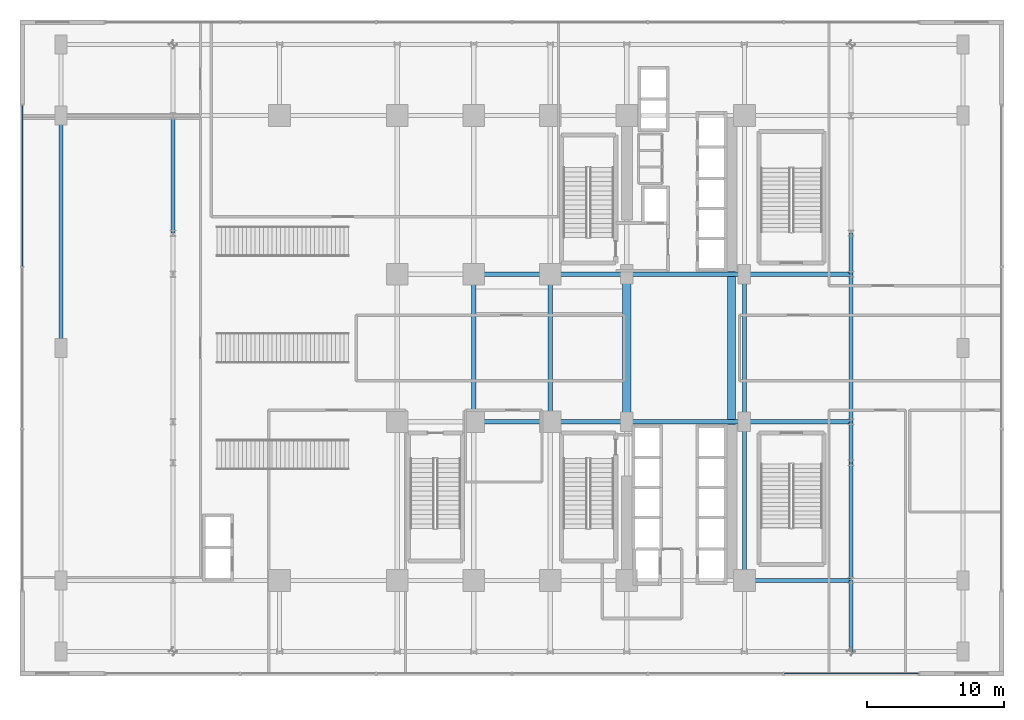
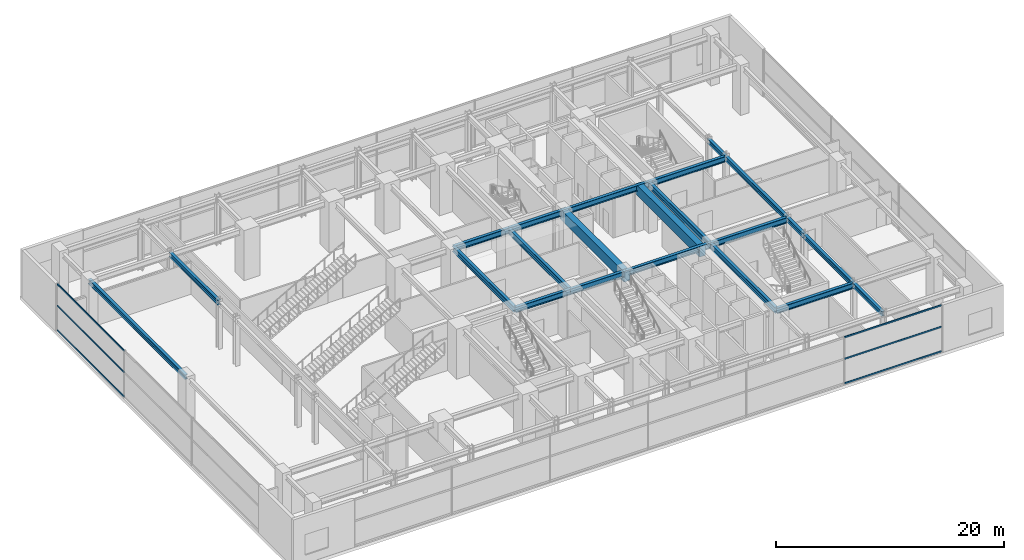
# One storey, part 12 of 34: 22 beams, 6 members, 2 elements without a shape of their own.
"""IFC4 building model written with IfcOpenShell, lengths in metres."""

from ifc_helpers import new_model, si_unit, direction, frame, origin, origin_2d, place, context, subcontext, project, spatial, rectangle, hollow_rectangle, i_section, extrude, source, transform, mapped, material, material_profile, profile_set, type_object, element, aggregate, save


model = new_model("IFC4")

# Units and contexts
model_context = context("Model", 3, precision=1e-05, world=origin(), true_north=direction((0.0, 1.0)))
body_context = subcontext(model_context, "Body", "Model", "MODEL_VIEW")
ifc_project = project(units=[si_unit("LENGTHUNIT", "METRE"), si_unit("AREAUNIT", "SQUARE_METRE"), si_unit("VOLUMEUNIT", "CUBIC_METRE"), si_unit("PLANEANGLEUNIT", "RADIAN"), si_unit("MASSUNIT", "GRAM", prefix="KILO")], contexts=[model_context])

# Site, building, storey
site_placement = place(None, origin())
site = spatial("IfcSite", under=ifc_project, at=site_placement, CompositionType="ELEMENT")
building_placement = place(site_placement, origin())
building = spatial("IfcBuilding", under=site, at=building_placement, Name="Nahalor Promenade Grand Hotel", CompositionType="ELEMENT")
storey_placement = place(building_placement, frame((0.0, 0.0, 16.199951171875)))
storey = spatial("IfcBuildingStorey", under=building, at=storey_placement, Name="L03", CompositionType="ELEMENT", Elevation=16.199951171875)

# Beams
ifc_material_1 = material(Name="Concrete B-60 (C50/60)", Category="concrete")
ifc_material_profile_1 = material_profile(ifc_material_1, rectangle(XDim=0.6, YDim=1.1, at=origin_2d()), Name="RC 600x1100")
ifc_profile_set_1 = profile_set([ifc_material_profile_1], Name="Concrete B-60 (C50/60)")
beam_type_1 = type_object("IfcBeamType", Name="Beam-Lintel-RC1100", PredefinedType="LINTEL", material=ifc_profile_set_1)
shared_shape_1 = source(origin(), body_context, "Body", "SweptSolid", [
    extrude(rectangle(XDim=0.6, YDim=1.1, at=origin_2d()), origin(), (0.0, 0.0, 1.0), 11.2001953125),
])
for number, where, z_axis, x_axis, name in (
    (1, (8.39990234375, -5.60009765625, 4.530029296875), (0.0, 1.0, 0.0), (-1.0, 0.0, 0.0), "BM-L03-LINT-W"),
    (2, (16.050048828125, -5.60009765625, 4.530029296875), (0.0, 1.0, 0.0), (-1.0, 0.0, 0.0), "BM-L03-LINT-E"),
):
    element("IfcBeam", number, at=place(storey_placement, frame(where, z_axis=z_axis, x_axis=x_axis)), inside=storey, type_object=beam_type_1, Name=name, PredefinedType="LINTEL", context=body_context, shape_type="MappedRepresentation", body=[
        mapped(shared_shape_1, transform((0.0, 0.0, 0.0), scale=1.0)),
    ])
ifc_material_2 = material(Name="Steel S355JR", Category="steel")
ifc_material_profile_2 = material_profile(ifc_material_2, i_section(OverallWidth=0.3, OverallDepth=0.6, WebThickness=0.0155, FlangeThickness=0.03, at=origin_2d()), Name="HEB 600")
ifc_profile_set_2 = profile_set([ifc_material_profile_2], Name="Steel S355JR")
beam_type_2 = type_object("IfcBeamType", Name="Beam-Girder-HEB600", PredefinedType="BEAM", material=ifc_profile_set_2)
shared_shape_2 = source(origin(), body_context, "Body", "SweptSolid", [
    extrude(i_section(OverallWidth=0.3, OverallDepth=0.6, WebThickness=0.0155, FlangeThickness=0.03, at=origin_2d()), origin(), (0.0, 0.0, 1.0), 7.800048828125),
])
for number, where, z_axis, x_axis, name in (
    (3, (17.0, -17.0, 4.780029296875), (1.0, 0.0, 0.0), (0.0, 1.0, 0.0), "BM-L03-GX-0-7"),
    (4, (17.0, -5.39990234375, 4.780029296875), (1.0, 0.0, 0.0), (0.0, 1.0, 0.0), "BM-L03-GX-1-4"),
    (5, (17.0, 5.39990234375, 4.780029296875), (1.0, 0.0, 0.0), (0.0, 1.0, 0.0), "BM-L03-GX-2-4"),
):
    element("IfcBeam", number, at=place(storey_placement, frame(where, z_axis=z_axis, x_axis=x_axis)), inside=storey, type_object=beam_type_2, Name=name, PredefinedType="BEAM", context=body_context, shape_type="MappedRepresentation", body=[
        mapped(shared_shape_2, transform((0.0, 0.0, 0.0), scale=1.0)),
    ])
shared_shape_3 = source(origin(), body_context, "Body", "SweptSolid", [
    extrude(i_section(OverallWidth=0.3, OverallDepth=0.6, WebThickness=0.0155, FlangeThickness=0.03, at=origin_2d()), origin(), (0.0, 0.0, 1.0), 8.60009765625),
])
for number, where, z_axis, x_axis, name in (
    (6, (8.39990234375, -5.39990234375, 4.780029296875), (1.0, 0.0, 0.0), (0.0, 1.0, 0.0), "BM-L03-GX-1-3"),
    (7, (8.39990234375, 5.39990234375, 4.780029296875), (1.0, 0.0, 0.0), (0.0, 1.0, 0.0), "BM-L03-GX-2-3"),
):
    element("IfcBeam", number, at=place(storey_placement, frame(where, z_axis=z_axis, x_axis=x_axis)), inside=storey, type_object=beam_type_2, Name=name, PredefinedType="BEAM", context=body_context, shape_type="MappedRepresentation", body=[
        mapped(shared_shape_3, transform((0.0, 0.0, 0.0), scale=1.0)),
    ])
shared_shape_4 = source(origin(), body_context, "Body", "SweptSolid", [
    extrude(i_section(OverallWidth=0.3, OverallDepth=0.6, WebThickness=0.0155, FlangeThickness=0.03, at=origin_2d()), origin(), (0.0, 0.0, 1.0), 5.599853515625),
])
for number, where, z_axis, x_axis, name in (
    (8, (2.800048828125, -5.39990234375, 4.780029296875), (1.0, 0.0, 0.0), (0.0, 1.0, 0.0), "BM-L03-GX-1-2"),
    (9, (2.800048828125, 5.39990234375, 4.780029296875), (1.0, 0.0, 0.0), (0.0, 1.0, 0.0), "BM-L03-GX-2-2"),
):
    element("IfcBeam", number, at=place(storey_placement, frame(where, z_axis=z_axis, x_axis=x_axis)), inside=storey, type_object=beam_type_2, Name=name, PredefinedType="BEAM", context=body_context, shape_type="MappedRepresentation", body=[
        mapped(shared_shape_4, transform((0.0, 0.0, 0.0), scale=1.0)),
    ])
shared_shape_5 = source(origin(), body_context, "Body", "SweptSolid", [
    extrude(i_section(OverallWidth=0.3, OverallDepth=0.6, WebThickness=0.0155, FlangeThickness=0.03, at=origin_2d()), origin(), (0.0, 0.0, 1.0), 5.60009765625),
])
for number, where, z_axis, x_axis, name in (
    (10, (-2.800048828125, -5.39990234375, 4.780029296875), (1.0, 0.0, 0.0), (0.0, 1.0, 0.0), "BM-L03-GX-1-1"),
    (11, (-2.800048828125, 5.39990234375, 4.780029296875), (1.0, 0.0, 0.0), (0.0, 1.0, 0.0), "BM-L03-GX-2-1"),
):
    element("IfcBeam", number, at=place(storey_placement, frame(where, z_axis=z_axis, x_axis=x_axis)), inside=storey, type_object=beam_type_2, Name=name, PredefinedType="BEAM", context=body_context, shape_type="MappedRepresentation", body=[
        mapped(shared_shape_5, transform((0.0, 0.0, 0.0), scale=1.0)),
    ])
shared_shape_6 = source(origin(), body_context, "Body", "SweptSolid", [
    extrude(i_section(OverallWidth=0.3, OverallDepth=0.6, WebThickness=0.0155, FlangeThickness=0.03, at=origin_2d()), origin(), (0.0, 0.0, 1.0), 11.60009765625),
])
beam_1_placement = place(storey_placement, frame((17.0, -17.0, 4.780029296875), z_axis=(0.0, 1.0, 0.0), x_axis=(-1.0, 0.0, 0.0)))
element("IfcBeam", 12, at=beam_1_placement, inside=storey, type_object=beam_type_2, Name="BM-L03-GY-5-1", PredefinedType="BEAM", context=body_context, shape_type="MappedRepresentation", body=[
    mapped(shared_shape_6, transform((0.0, 0.0, 0.0), scale=1.0)),
])
shared_shape_7 = source(origin(), body_context, "Body", "SweptSolid", [
    extrude(i_section(OverallWidth=0.3, OverallDepth=0.6, WebThickness=0.0155, FlangeThickness=0.03, at=origin_2d()), origin(), (0.0, 0.0, 1.0), 10.7998046875),
])
for number, where, z_axis, x_axis, name in (
    (13, (-2.800048828125, -5.39990234375, 4.780029296875), (0.0, 1.0, 0.0), (-1.0, 0.0, 0.0), "BM-L03-GY-2-2"),
    (14, (2.800048828125, -5.39990234375, 4.780029296875), (0.0, 1.0, 0.0), (-1.0, 0.0, 0.0), "BM-L03-GY-3-2"),
    (15, (17.0, -5.39990234375, 4.780029296875), (0.0, 1.0, 0.0), (-1.0, 0.0, 0.0), "BM-L03-GY-5-2"),
):
    element("IfcBeam", number, at=place(storey_placement, frame(where, z_axis=z_axis, x_axis=x_axis)), inside=storey, type_object=beam_type_2, Name=name, PredefinedType="BEAM", context=body_context, shape_type="MappedRepresentation", body=[
        mapped(shared_shape_7, transform((0.0, 0.0, 0.0), scale=1.0)),
    ])
ifc_material_profile_3 = material_profile(ifc_material_2, i_section(OverallWidth=0.3, OverallDepth=0.5, WebThickness=0.0145, FlangeThickness=0.028, at=origin_2d()), Name="HEB 500")
ifc_profile_set_3 = profile_set([ifc_material_profile_3], Name="Steel S355JR")
beam_type_3 = type_object("IfcBeamType", Name="Beam-Spandrel-HEB500", PredefinedType="SPANDREL", material=ifc_profile_set_3)
shared_shape_8 = source(origin(), body_context, "Body", "SweptSolid", [
    extrude(i_section(OverallWidth=0.3, OverallDepth=0.5, WebThickness=0.0145, FlangeThickness=0.028, at=origin_2d()), origin(), (0.0, 0.0, 1.0), 8.60009765625),
])
for number, where, z_axis, x_axis, name in (
    (16, (-24.800048828125, 8.39990234375, 4.830078125), (0.0, 1.0, 0.0), (-1.0, 0.0, 0.0), "BM-L03-SP-W-4"),
    (17, (24.800048828125, -17.0, 4.830078125), (0.0, 1.0, 0.0), (-1.0, 0.0, 0.0), "BM-L03-SP-E-0"),
):
    element("IfcBeam", number, at=place(storey_placement, frame(where, z_axis=z_axis, x_axis=x_axis)), inside=storey, type_object=beam_type_3, Name=name, PredefinedType="SPANDREL", context=body_context, shape_type="MappedRepresentation", body=[
        mapped(shared_shape_8, transform((0.0, 0.0, 0.0), scale=1.0)),
    ])
shared_shape_9 = source(origin(), body_context, "Body", "SweptSolid", [
    extrude(i_section(OverallWidth=0.3, OverallDepth=0.5, WebThickness=0.0145, FlangeThickness=0.028, at=origin_2d()), origin(), (0.0, 0.0, 1.0), 3.0),
])
for number, where, z_axis, x_axis, name in (
    (18, (24.800048828125, -8.39990234375, 4.830078125), (0.0, 1.0, 0.0), (-1.0, 0.0, 0.0), "BM-L03-SP-E-1"),
    (19, (24.800048828125, 5.39990234375, 4.830078125), (0.0, 1.0, 0.0), (-1.0, 0.0, 0.0), "BM-L03-SP-E-3"),
):
    element("IfcBeam", number, at=place(storey_placement, frame(where, z_axis=z_axis, x_axis=x_axis)), inside=storey, type_object=beam_type_3, Name=name, PredefinedType="SPANDREL", context=body_context, shape_type="MappedRepresentation", body=[
        mapped(shared_shape_9, transform((0.0, 0.0, 0.0), scale=1.0)),
    ])
shared_shape_10 = source(origin(), body_context, "Body", "SweptSolid", [
    extrude(i_section(OverallWidth=0.3, OverallDepth=0.5, WebThickness=0.0145, FlangeThickness=0.028, at=origin_2d()), origin(), (0.0, 0.0, 1.0), 10.7998046875),
])
beam_2_placement = place(storey_placement, frame((24.800048828125, -5.39990234375, 4.830078125), z_axis=(0.0, 1.0, 0.0), x_axis=(-1.0, 0.0, 0.0)))
element("IfcBeam", 20, at=beam_2_placement, inside=storey, type_object=beam_type_3, Name="BM-L03-SP-E-2", PredefinedType="SPANDREL", context=body_context, shape_type="MappedRepresentation", body=[
    mapped(shared_shape_10, transform((0.0, 0.0, 0.0), scale=1.0)),
])
shared_shape_11 = source(origin(), body_context, "Body", "SweptSolid", [
    extrude(i_section(OverallWidth=0.3, OverallDepth=0.5, WebThickness=0.0145, FlangeThickness=0.028, at=origin_2d()), origin(), (0.0, 0.0, 1.0), 5.199951171875),
])
beam_3_placement = place(storey_placement, frame((24.800048828125, -22.199951171875, 4.830078125), z_axis=(0.0, 1.0, 0.0), x_axis=(-1.0, 0.0, 0.0)))
element("IfcBeam", 21, at=beam_3_placement, inside=storey, type_object=beam_type_3, Name="BM-L03-SPC-SE-2", PredefinedType="SPANDREL", context=body_context, shape_type="MappedRepresentation", body=[
    mapped(shared_shape_11, transform((0.0, 0.0, 0.0), scale=1.0)),
])
shared_shape_12 = source(origin(), body_context, "Body", "SweptSolid", [
    extrude(i_section(OverallWidth=0.3, OverallDepth=0.5, WebThickness=0.0145, FlangeThickness=0.028, at=origin_2d()), origin(), (0.0, 0.0, 1.0), 17.0),
])
beam_4_placement = place(storey_placement, frame((-33.0, 0.0, 4.830078125), z_axis=(0.0, 1.0, 0.0), x_axis=(-1.0, 0.0, 0.0)))
element("IfcBeam", 22, at=beam_4_placement, inside=storey, type_object=beam_type_3, Name="BM-L03-PW-2", PredefinedType="SPANDREL", context=body_context, shape_type="MappedRepresentation", body=[
    mapped(shared_shape_12, transform((0.0, 0.0, 0.0), scale=1.0)),
])

# Curtain wall, members
ifc_material_3 = material(Name="Anodised Bronze Aluminium EN AW-6063 T6", Category="aluminium")
curtain_wall_type = type_object("IfcCurtainWallType", Name="CW1 Waterfront Podium Bronze Arcade Curtain Wall", PredefinedType="USERDEFINED", material=ifc_material_3)
curtain_wall_1_placement = place(storey_placement, origin())
curtain_wall_1 = element("IfcCurtainWall", 23, at=curtain_wall_1_placement, inside=storey, type_object=curtain_wall_type, Name="L03 Curtain Wall CW-L03-W", ObjectType="UNITISED_CURTAIN_WALL", PredefinedType="USERDEFINED")
ifc_material_profile_4 = material_profile(ifc_material_3, hollow_rectangle(XDim=0.08, YDim=0.16, WallThickness=0.004, at=origin_2d()), Name="CWT 80x160x4")
ifc_profile_set_4 = profile_set([ifc_material_profile_4], Name="Anodised Bronze Aluminium EN AW-6063 T6")
member_type = type_object("IfcMemberType", Name="CWT1 Podium Bronze Transom 80x160", PredefinedType="USERDEFINED", material=ifc_profile_set_4)
shared_shape_13 = source(origin(), body_context, "Body", "SweptSolid", [
    extrude(hollow_rectangle(XDim=0.08, YDim=0.16, WallThickness=0.004, at=origin_2d()), origin(), (0.0, 0.0, 1.0), 11.760009765625),
])
member_1_placement = place(storey_placement, frame((-35.820068359375, 5.97998046875, 0.080078125), z_axis=(0.0, 1.0, 0.0), x_axis=(-1.0, 0.0, 0.0)))
member_1 = element("IfcMember", 24, at=member_1_placement, type_object=member_type, Name="CW-L03-W Transom 2-0", ObjectType="TRANSOM", PredefinedType="USERDEFINED", context=body_context, shape_type="MappedRepresentation", body=[
    mapped(shared_shape_13, transform((0.0, 0.0, 0.0), scale=1.0)),
])
member_2_placement = place(storey_placement, frame((-35.820068359375, 5.97998046875, 2.699951171875), z_axis=(0.0, 1.0, 0.0), x_axis=(-1.0, 0.0, 0.0)))
member_2 = element("IfcMember", 25, at=member_2_placement, type_object=member_type, Name="CW-L03-W Transom 2-1", ObjectType="TRANSOM", PredefinedType="USERDEFINED", context=body_context, shape_type="MappedRepresentation", body=[
    mapped(shared_shape_13, transform((0.0, 0.0, 0.0), scale=1.0)),
])
member_3_placement = place(storey_placement, frame((-35.820068359375, 5.97998046875, 5.0), z_axis=(0.0, 1.0, 0.0), x_axis=(-1.0, 0.0, 0.0)))
member_3 = element("IfcMember", 26, at=member_3_placement, type_object=member_type, Name="CW-L03-W Transom 2-2", ObjectType="TRANSOM", PredefinedType="USERDEFINED", context=body_context, shape_type="MappedRepresentation", body=[
    mapped(shared_shape_13, transform((0.0, 0.0, 0.0), scale=1.0)),
])
aggregate(curtain_wall_1, [member_1, member_2, member_3])

curtain_wall_2_placement = place(storey_placement, origin())
curtain_wall_2 = element("IfcCurtainWall", 27, at=curtain_wall_2_placement, inside=storey, type_object=curtain_wall_type, Name="L03 Curtain Wall CW-L03-S", ObjectType="UNITISED_CURTAIN_WALL", PredefinedType="USERDEFINED")
shared_shape_14 = source(origin(), body_context, "Body", "SweptSolid", [
    extrude(hollow_rectangle(XDim=0.08, YDim=0.16, WallThickness=0.004, at=origin_2d()), origin(), (0.0, 0.0, 1.0), 9.820068359375),
])
member_4_placement = place(storey_placement, frame((19.919921875, -23.820068359375, 0.080078125), z_axis=(1.0, 0.0, 0.0), x_axis=(0.0, 1.0, 0.0)))
member_4 = element("IfcMember", 28, at=member_4_placement, type_object=member_type, Name="CW-L03-S Transom 5-0", ObjectType="TRANSOM", PredefinedType="USERDEFINED", context=body_context, shape_type="MappedRepresentation", body=[
    mapped(shared_shape_14, transform((0.0, 0.0, 0.0), scale=1.0)),
])
member_5_placement = place(storey_placement, frame((19.919921875, -23.820068359375, 2.699951171875), z_axis=(1.0, 0.0, 0.0), x_axis=(0.0, 1.0, 0.0)))
member_5 = element("IfcMember", 29, at=member_5_placement, type_object=member_type, Name="CW-L03-S Transom 5-1", ObjectType="TRANSOM", PredefinedType="USERDEFINED", context=body_context, shape_type="MappedRepresentation", body=[
    mapped(shared_shape_14, transform((0.0, 0.0, 0.0), scale=1.0)),
])
member_6_placement = place(storey_placement, frame((19.919921875, -23.820068359375, 5.0), z_axis=(1.0, 0.0, 0.0), x_axis=(0.0, 1.0, 0.0)))
member_6 = element("IfcMember", 30, at=member_6_placement, type_object=member_type, Name="CW-L03-S Transom 5-2", ObjectType="TRANSOM", PredefinedType="USERDEFINED", context=body_context, shape_type="MappedRepresentation", body=[
    mapped(shared_shape_14, transform((0.0, 0.0, 0.0), scale=1.0)),
])
aggregate(curtain_wall_2, [member_4, member_5, member_6])

save(model, "model.ifc")
